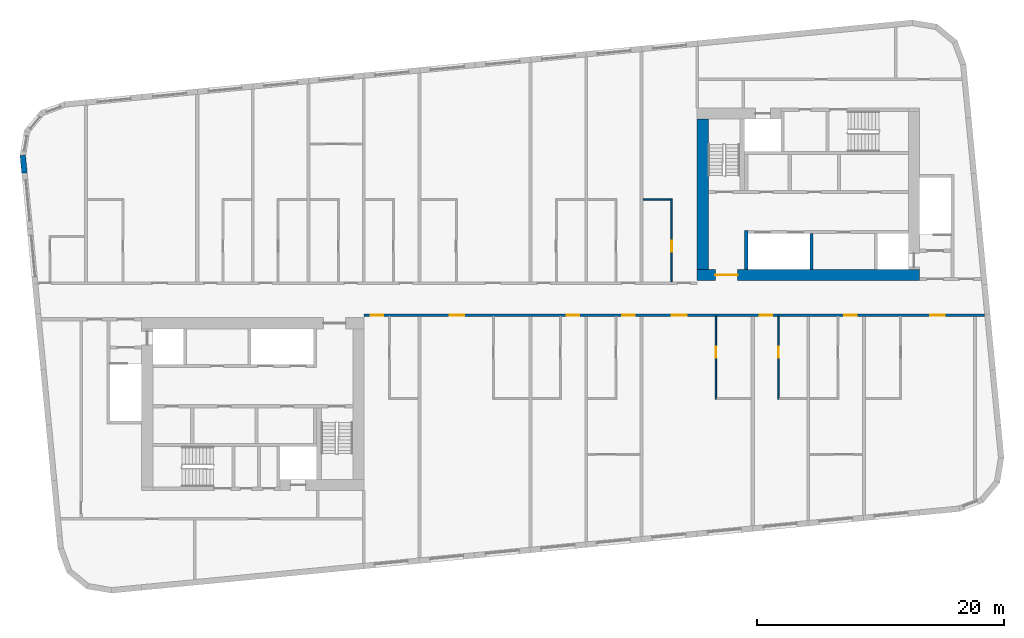
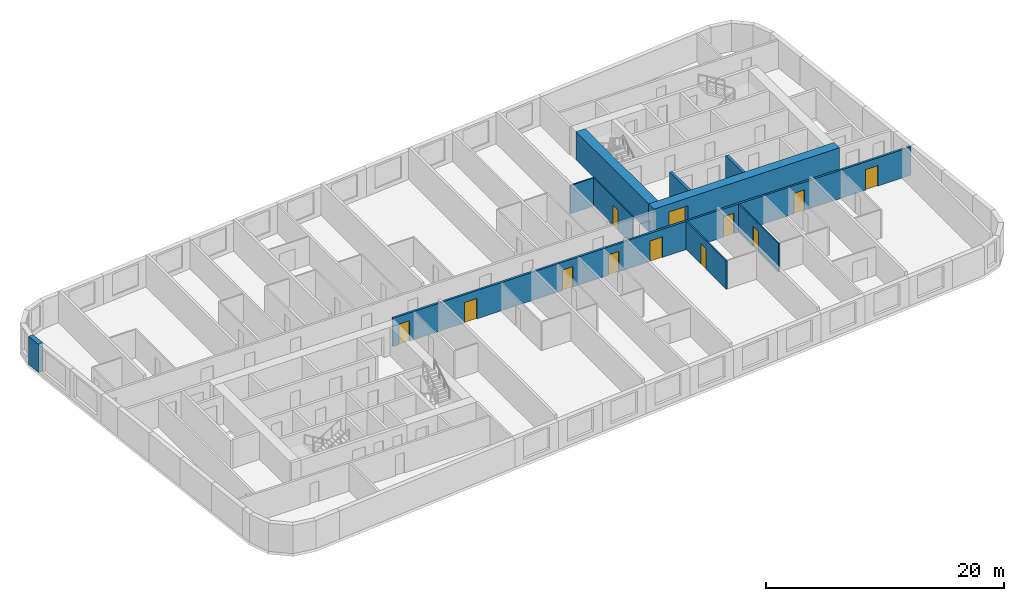
# One storey, part 5 of 11: 12 doors, 10 walls, 12 openings.
"""IFC4 building model written with IfcOpenShell, lengths in metres."""

from ifc_helpers import new_model, si_unit, direction, frame, frame_2d, origin, place, context, subcontext, project, spatial, rectangle, extrude, material, layer, layer_set, type_object, element, fill, save


model = new_model("IFC4")

# Units and contexts
model_context = context("Model", 3, precision=1e-05, world=origin(), true_north=direction((0.0, 1.0)))
body_context = subcontext(model_context, "Body", "Model", "MODEL_VIEW")
ifc_project = project(units=[si_unit("LENGTHUNIT", "METRE"), si_unit("AREAUNIT", "SQUARE_METRE"), si_unit("VOLUMEUNIT", "CUBIC_METRE"), si_unit("PLANEANGLEUNIT", "RADIAN"), si_unit("MASSUNIT", "GRAM", prefix="KILO")], contexts=[model_context])

# Site, building, storey
site_placement = place(None, origin())
site = spatial("IfcSite", under=ifc_project, at=site_placement, CompositionType="ELEMENT")
building_placement = place(site_placement, origin())
building = spatial("IfcBuilding", under=site, at=building_placement, Name="Kajstack Hotel Tower", CompositionType="ELEMENT")
storey_placement = place(building_placement, frame((0.0, 0.0, 304.800048828125)))
storey = spatial("IfcBuildingStorey", under=building, at=storey_placement, Name="L77", CompositionType="ELEMENT", Elevation=304.800048828125)

# Wall, opening, door
ifc_material_1 = material(Name="Concrete C60/75", Category="concrete")
ifc_layer_1 = layer(ifc_material_1, 0.89990234375)
ifc_layer_set_1 = layer_set([ifc_layer_1], Name="Core wall 900")
wall_type_1 = type_object("IfcWallType", Name="Core wall 900", PredefinedType="SHEAR", material=ifc_layer_set_1)
wall_1_placement = place(storey_placement, frame((13.5, 1.949951171875, 0.0), z_axis=(0.0, 0.0, 1.0), x_axis=(1.0, 0.0, 0.0)))
wall_1 = element("IfcWall", 1, at=wall_1_placement, inside=storey, type_object=wall_type_1, Name="Core wall E RN", PredefinedType="SHEAR", context=body_context, shape_type="SweptSolid", body=[
    extrude(rectangle(XDim=18.0, YDim=0.89990234375, at=frame_2d((9.0, 0.0))), origin(), (0.0, 0.0, 1.0), 2.89990234375),
])
opening_1_placement = place(wall_1_placement, frame((1.47509765625, 0.0, 0.0)))
opening_1 = element("IfcOpeningElement", 2, at=opening_1_placement, cuts=wall_1, Name="Opening 77E05", PredefinedType="OPENING", context=body_context, shape_type="SweptSolid", body=[
    extrude(rectangle(XDim=1.800048828125, YDim=2.10009765625, at=frame_2d((0.89990234375, 1.050048828125))), frame((0.0, 0.4599609375, 0.0), z_axis=(0.0, -1.0, 0.0), x_axis=(1.0, 0.0, 0.0)), (0.0, 0.0, 1.0), 0.919921875),
])
ifc_material_2 = material(Name="Glazed steel frame, fire-rated glass", Category="steel")
door_type_1 = type_object("IfcDoorType", Name="Lobby double door 1800", OperationType="DOUBLE_DOOR_DOUBLE_SWING", PredefinedType="DOOR", material=ifc_material_2)
door_1_placement = place(opening_1_placement, origin())
door_1 = element("IfcDoor", 3, at=door_1_placement, inside=storey, type_object=door_type_1, Name="Door 77E05", OperationType="DOUBLE_DOOR_DOUBLE_SWING", OverallHeight=2.10009765625, OverallWidth=1.800048828125, PredefinedType="DOOR", context=body_context, shape_type="SweptSolid", body=[
    extrude(rectangle(XDim=1.800048828125, YDim=2.10009765625, at=frame_2d((0.89990234375, 1.050048828125))), frame((0.0, 0.02490234375, 0.0), z_axis=(0.0, -1.0, 0.0), x_axis=(1.0, 0.0, 0.0)), (0.0, 0.0, 1.0), 0.050048828125),
])
fill(opening_1, door_1)

# Wall
wall_2_placement = place(storey_placement, frame((13.949951171875, 2.39990234375, 0.0), z_axis=(0.0, 0.0, 1.0), x_axis=(0.0, 1.0, 0.0)))
element("IfcWall", 4, at=wall_2_placement, inside=storey, type_object=wall_type_1, Name="Core wall E RE", PredefinedType="SHEAR", context=body_context, shape_type="SweptSolid", body=[
    extrude(rectangle(XDim=12.2001953125, YDim=0.89990234375, at=frame_2d((6.10009765625, 0.0))), origin(), (0.0, 0.0, 1.0), 2.89990234375),
])

# Wall, openings, doors
ifc_material_3 = material(Name="Gypsum board on steel studs, mineral wool", Category="steel")
ifc_layer_2 = layer(ifc_material_3, 0.199951171875)
ifc_layer_set_2 = layer_set([ifc_layer_2], Name="Corridor wall 200")
wall_type_2 = type_object("IfcWallType", Name="Corridor wall 200", PredefinedType="PARTITIONING", material=ifc_layer_set_2)
wall_3_placement = place(storey_placement, frame((-13.5, -1.300048828125, 0.0), z_axis=(0.0, 0.0, 1.0), x_axis=(1.0, 0.0, 0.0)))
wall_3 = element("IfcWall", 5, at=wall_3_placement, inside=storey, type_object=wall_type_2, Name="G-wall-L77-028", PredefinedType="PARTITIONING", context=body_context, shape_type="SweptSolid", body=[
    extrude(rectangle(XDim=50.29296875, YDim=0.199951171875, at=frame_2d((25.146484375, 0.0))), origin(), (0.0, 0.0, 1.0), 2.89990234375),
])
opening_2_placement = place(wall_3_placement, frame((0.574951171875, 0.0, 0.0)))
opening_2 = element("IfcOpeningElement", 6, at=opening_2_placement, cuts=wall_3, Name="Opening 77022", PredefinedType="OPENING", context=body_context, shape_type="SweptSolid", body=[
    extrude(rectangle(XDim=1.0, YDim=2.10009765625, at=frame_2d((0.5, 1.050048828125))), frame((0.0, 0.10986328125, 0.0), z_axis=(0.0, -1.0, 0.0), x_axis=(1.0, 0.0, 0.0)), (0.0, 0.0, 1.0), 0.219970703125),
])
opening_3_placement = place(wall_3_placement, frame((6.93798828125, 0.0, 0.0)))
opening_3 = element("IfcOpeningElement", 7, at=opening_3_placement, cuts=wall_3, Name="Opening 77024", PredefinedType="OPENING", context=body_context, shape_type="SweptSolid", body=[
    extrude(rectangle(XDim=1.199951171875, YDim=2.10009765625, at=frame_2d((0.60009765625, 1.050048828125))), frame((0.0, 0.10986328125, 0.0), z_axis=(0.0, -1.0, 0.0), x_axis=(1.0, 0.0, 0.0)), (0.0, 0.0, 1.0), 0.219970703125),
])
opening_4_placement = place(wall_3_placement, frame((16.449951171875, 0.0, 0.0)))
opening_4 = element("IfcOpeningElement", 8, at=opening_4_placement, cuts=wall_3, Name="Opening 77026", PredefinedType="OPENING", context=body_context, shape_type="SweptSolid", body=[
    extrude(rectangle(XDim=1.0, YDim=2.10009765625, at=frame_2d((0.5, 1.050048828125))), frame((0.0, 0.10986328125, 0.0), z_axis=(0.0, -1.0, 0.0), x_axis=(1.0, 0.0, 0.0)), (0.0, 0.0, 1.0), 0.219970703125),
])
opening_5_placement = place(wall_3_placement, frame((20.925048828125, 0.0, 0.0)))
opening_5 = element("IfcOpeningElement", 9, at=opening_5_placement, cuts=wall_3, Name="Opening 77028", PredefinedType="OPENING", context=body_context, shape_type="SweptSolid", body=[
    extrude(rectangle(XDim=1.0, YDim=2.10009765625, at=frame_2d((0.5, 1.050048828125))), frame((0.0, 0.10986328125, 0.0), z_axis=(0.0, -1.0, 0.0), x_axis=(1.0, 0.0, 0.0)), (0.0, 0.0, 1.0), 0.219970703125),
])
opening_6_placement = place(wall_3_placement, frame((24.93798828125, 0.0, 0.0)))
opening_6 = element("IfcOpeningElement", 10, at=opening_6_placement, cuts=wall_3, Name="Opening 77031", PredefinedType="OPENING", context=body_context, shape_type="SweptSolid", body=[
    extrude(rectangle(XDim=1.199951171875, YDim=2.10009765625, at=frame_2d((0.60009765625, 1.050048828125))), frame((0.0, 0.10986328125, 0.0), z_axis=(0.0, -1.0, 0.0), x_axis=(1.0, 0.0, 0.0)), (0.0, 0.0, 1.0), 0.219970703125),
])
opening_7_placement = place(wall_3_placement, frame((32.074951171875, 0.0, 0.0)))
opening_7 = element("IfcOpeningElement", 11, at=opening_7_placement, cuts=wall_3, Name="Opening 77033", PredefinedType="OPENING", context=body_context, shape_type="SweptSolid", body=[
    extrude(rectangle(XDim=1.0, YDim=2.10009765625, at=frame_2d((0.5, 1.050048828125))), frame((0.0, 0.10986328125, 0.0), z_axis=(0.0, -1.0, 0.0), x_axis=(1.0, 0.0, 0.0)), (0.0, 0.0, 1.0), 0.219970703125),
])
opening_8_placement = place(wall_3_placement, frame((38.925048828125, 0.0, 0.0)))
opening_8 = element("IfcOpeningElement", 12, at=opening_8_placement, cuts=wall_3, Name="Opening 77035", PredefinedType="OPENING", context=body_context, shape_type="SweptSolid", body=[
    extrude(rectangle(XDim=1.0, YDim=2.10009765625, at=frame_2d((0.5, 1.050048828125))), frame((0.0, 0.10986328125, 0.0), z_axis=(0.0, -1.0, 0.0), x_axis=(1.0, 0.0, 0.0)), (0.0, 0.0, 1.0), 0.219970703125),
])
opening_9_placement = place(wall_3_placement, frame((45.862060546875, 0.0, 0.0)))
opening_9 = element("IfcOpeningElement", 13, at=opening_9_placement, cuts=wall_3, Name="Opening 77038", PredefinedType="OPENING", context=body_context, shape_type="SweptSolid", body=[
    extrude(rectangle(XDim=1.199951171875, YDim=2.10009765625, at=frame_2d((0.60009765625, 1.050048828125))), frame((0.0, 0.10986328125, 0.0), z_axis=(0.0, -1.0, 0.0), x_axis=(1.0, 0.0, 0.0)), (0.0, 0.0, 1.0), 0.219970703125),
])
ifc_material_4 = material(Name="Oak veneer on timber core, fire-rated leaf", Category="wood")
door_type_2 = type_object("IfcDoorType", Name="Flat entrance door 1000", OperationType="SINGLE_SWING_LEFT", PredefinedType="DOOR", material=ifc_material_4)
door_2_placement = place(opening_2_placement, origin())
door_2 = element("IfcDoor", 14, at=door_2_placement, inside=storey, type_object=door_type_2, Name="G-door-L77-22", OperationType="SINGLE_SWING_RIGHT", OverallHeight=2.10009765625, OverallWidth=1.0, PredefinedType="DOOR", context=body_context, shape_type="SweptSolid", body=[
    extrude(rectangle(XDim=1.0, YDim=2.10009765625, at=frame_2d((0.5, 1.050048828125))), frame((0.0, 0.02490234375, 0.0), z_axis=(0.0, -1.0, 0.0), x_axis=(1.0, 0.0, 0.0)), (0.0, 0.0, 1.0), 0.050048828125),
])
fill(opening_2, door_2)
door_3_placement = place(opening_4_placement, origin())
door_3 = element("IfcDoor", 15, at=door_3_placement, inside=storey, type_object=door_type_2, Name="G-door-L77-26", OperationType="SINGLE_SWING_LEFT", OverallHeight=2.10009765625, OverallWidth=1.0, PredefinedType="DOOR", context=body_context, shape_type="SweptSolid", body=[
    extrude(rectangle(XDim=1.0, YDim=2.10009765625, at=frame_2d((0.5, 1.050048828125))), frame((0.0, 0.02490234375, 0.0), z_axis=(0.0, -1.0, 0.0), x_axis=(1.0, 0.0, 0.0)), (0.0, 0.0, 1.0), 0.050048828125),
])
fill(opening_4, door_3)
door_4_placement = place(opening_5_placement, origin())
door_4 = element("IfcDoor", 16, at=door_4_placement, inside=storey, type_object=door_type_2, Name="G-door-L77-28", OperationType="SINGLE_SWING_LEFT", OverallHeight=2.10009765625, OverallWidth=1.0, PredefinedType="DOOR", context=body_context, shape_type="SweptSolid", body=[
    extrude(rectangle(XDim=1.0, YDim=2.10009765625, at=frame_2d((0.5, 1.050048828125))), frame((0.0, 0.02490234375, 0.0), z_axis=(0.0, -1.0, 0.0), x_axis=(1.0, 0.0, 0.0)), (0.0, 0.0, 1.0), 0.050048828125),
])
fill(opening_5, door_4)
door_5_placement = place(opening_7_placement, origin())
door_5 = element("IfcDoor", 17, at=door_5_placement, inside=storey, type_object=door_type_2, Name="G-door-L77-33", OperationType="SINGLE_SWING_RIGHT", OverallHeight=2.10009765625, OverallWidth=1.0, PredefinedType="DOOR", context=body_context, shape_type="SweptSolid", body=[
    extrude(rectangle(XDim=1.0, YDim=2.10009765625, at=frame_2d((0.5, 1.050048828125))), frame((0.0, 0.02490234375, 0.0), z_axis=(0.0, -1.0, 0.0), x_axis=(1.0, 0.0, 0.0)), (0.0, 0.0, 1.0), 0.050048828125),
])
fill(opening_7, door_5)
door_6_placement = place(opening_8_placement, origin())
door_6 = element("IfcDoor", 18, at=door_6_placement, inside=storey, type_object=door_type_2, Name="G-door-L77-35", OperationType="SINGLE_SWING_LEFT", OverallHeight=2.10009765625, OverallWidth=1.0, PredefinedType="DOOR", context=body_context, shape_type="SweptSolid", body=[
    extrude(rectangle(XDim=1.0, YDim=2.10009765625, at=frame_2d((0.5, 1.050048828125))), frame((0.0, 0.02490234375, 0.0), z_axis=(0.0, -1.0, 0.0), x_axis=(1.0, 0.0, 0.0)), (0.0, 0.0, 1.0), 0.050048828125),
])
fill(opening_8, door_6)
door_type_3 = type_object("IfcDoorType", Name="Flat entrance door 1200", OperationType="SINGLE_SWING_LEFT", PredefinedType="DOOR", material=ifc_material_4)
door_7_placement = place(opening_3_placement, origin())
door_7 = element("IfcDoor", 19, at=door_7_placement, inside=storey, type_object=door_type_3, Name="G-door-L77-24", OperationType="SINGLE_SWING_RIGHT", OverallHeight=2.10009765625, OverallWidth=1.199951171875, PredefinedType="DOOR", context=body_context, shape_type="SweptSolid", body=[
    extrude(rectangle(XDim=1.199951171875, YDim=2.10009765625, at=frame_2d((0.60009765625, 1.050048828125))), frame((0.0, 0.02490234375, 0.0), z_axis=(0.0, -1.0, 0.0), x_axis=(1.0, 0.0, 0.0)), (0.0, 0.0, 1.0), 0.050048828125),
])
fill(opening_3, door_7)
door_8_placement = place(opening_6_placement, origin())
door_8 = element("IfcDoor", 20, at=door_8_placement, inside=storey, type_object=door_type_3, Name="G-door-L77-31", OperationType="SINGLE_SWING_LEFT", OverallHeight=2.10009765625, OverallWidth=1.199951171875, PredefinedType="DOOR", context=body_context, shape_type="SweptSolid", body=[
    extrude(rectangle(XDim=1.199951171875, YDim=2.10009765625, at=frame_2d((0.60009765625, 1.050048828125))), frame((0.0, 0.02490234375, 0.0), z_axis=(0.0, -1.0, 0.0), x_axis=(1.0, 0.0, 0.0)), (0.0, 0.0, 1.0), 0.050048828125),
])
fill(opening_6, door_8)
door_9_placement = place(opening_9_placement, origin())
door_9 = element("IfcDoor", 21, at=door_9_placement, inside=storey, type_object=door_type_3, Name="G-door-L77-38", OperationType="SINGLE_SWING_LEFT", OverallHeight=2.10009765625, OverallWidth=1.199951171875, PredefinedType="DOOR", context=body_context, shape_type="SweptSolid", body=[
    extrude(rectangle(XDim=1.199951171875, YDim=2.10009765625, at=frame_2d((0.60009765625, 1.050048828125))), frame((0.0, 0.02490234375, 0.0), z_axis=(0.0, -1.0, 0.0), x_axis=(1.0, 0.0, 0.0)), (0.0, 0.0, 1.0), 0.050048828125),
])
fill(opening_9, door_9)

# Wall
ifc_material_5 = material(Name="Concrete C40/50", Category="concrete")
ifc_layer_3 = layer(ifc_material_5, 0.449951171875)
ifc_layer_set_3 = layer_set([ifc_layer_3], Name="EW-CORE")
wall_type_3 = type_object("IfcWallType", Name="EW-CORE", PredefinedType="SOLIDWALL", material=ifc_layer_set_3)
wall_4_placement = place(storey_placement, frame((-41.13232421875, 11.657958984375, 0.0), z_axis=(0.0, 0.0, 1.0), x_axis=(0.095767215156, -0.995403757528, 0.0)))
element("IfcWall", 22, at=wall_4_placement, inside=storey, type_object=wall_type_3, Name="E-wall-L77-00-00", PredefinedType="SOLIDWALL", context=body_context, shape_type="SweptSolid", body=[
    extrude(rectangle(XDim=1.44287109375, YDim=0.449951171875, at=frame_2d((0.721435546875, 0.0))), origin(), (0.0, 0.0, 1.0), 2.89990234375),
])

# Wall, opening, door
ifc_material_6 = material(Name="Gypsum board and tiled backer on steel studs", Category="steel")
ifc_layer_4 = layer(ifc_material_6, 0.125)
ifc_layer_set_4 = layer_set([ifc_layer_4], Name="En-suite wall 125")
wall_type_4 = type_object("IfcWallType", Name="En-suite wall 125", PredefinedType="PARTITIONING", material=ifc_layer_set_4)
wall_5_placement = place(storey_placement, frame((11.43798828125, 1.39990234375, 0.0), z_axis=(0.0, 0.0, 1.0), x_axis=(0.0, 1.0, 0.0)))
wall_5 = element("IfcWall", 23, at=wall_5_placement, inside=storey, type_object=wall_type_4, Name="G-wall-L77-026", PredefinedType="PARTITIONING", context=body_context, shape_type="SweptSolid", body=[
    extrude(rectangle(XDim=6.72509765625, YDim=0.125, at=frame_2d((3.362548828125, 0.0))), origin(), (0.0, 0.0, 1.0), 2.89990234375),
])
opening_10_placement = place(wall_5_placement, frame((2.449951171875, 0.0, 0.0)))
opening_10 = element("IfcOpeningElement", 24, at=opening_10_placement, cuts=wall_5, Name="Opening 77021", PredefinedType="OPENING", context=body_context, shape_type="SweptSolid", body=[
    extrude(rectangle(XDim=0.89990234375, YDim=2.10009765625, at=frame_2d((0.449951171875, 1.050048828125))), frame((0.0, 0.072509765625, 0.0), z_axis=(0.0, -1.0, 0.0), x_axis=(1.0, 0.0, 0.0)), (0.0, 0.0, 1.0), 0.14501953125),
])
ifc_material_7 = material(Name="Painted timber door leaf", Category="wood")
door_type_4 = type_object("IfcDoorType", Name="Room door 900", OperationType="SINGLE_SWING_LEFT", PredefinedType="DOOR", material=ifc_material_7)
door_10_placement = place(opening_10_placement, origin())
door_10 = element("IfcDoor", 25, at=door_10_placement, inside=storey, type_object=door_type_4, Name="G-door-L77-21", OperationType="SINGLE_SWING_LEFT", OverallHeight=2.10009765625, OverallWidth=0.89990234375, PredefinedType="DOOR", context=body_context, shape_type="SweptSolid", body=[
    extrude(rectangle(XDim=0.89990234375, YDim=2.10009765625, at=frame_2d((0.449951171875, 1.050048828125))), frame((0.0, 0.02490234375, 0.0), z_axis=(0.0, -1.0, 0.0), x_axis=(1.0, 0.0, 0.0)), (0.0, 0.0, 1.0), 0.050048828125),
])
fill(opening_10, door_10)

# Wall
wall_6_placement = place(storey_placement, frame((9.125, 8.06201171875, 0.0), z_axis=(0.0, 0.0, 1.0), x_axis=(1.0, 0.0, 0.0)))
element("IfcWall", 26, at=wall_6_placement, inside=storey, type_object=wall_type_4, Name="G-wall-L77-027", PredefinedType="PARTITIONING", context=body_context, shape_type="SweptSolid", body=[
    extrude(rectangle(XDim=2.25, YDim=0.125, at=frame_2d((1.125, 0.0))), origin(), (0.0, 0.0, 1.0), 2.89990234375),
])

# Wall, opening, door
wall_7_placement = place(storey_placement, frame((15.011962890625, -8.125, 0.0), z_axis=(0.0, 0.0, 1.0), x_axis=(0.0, 1.0, 0.0)))
wall_7 = element("IfcWall", 27, at=wall_7_placement, inside=storey, type_object=wall_type_4, Name="G-wall-L77-039", PredefinedType="PARTITIONING", context=body_context, shape_type="SweptSolid", body=[
    extrude(rectangle(XDim=6.72509765625, YDim=0.125, at=frame_2d((3.362548828125, 0.0))), origin(), (0.0, 0.0, 1.0), 2.89990234375),
])
opening_11_placement = place(wall_7_placement, frame((3.375, 0.0, 0.0)))
opening_11 = element("IfcOpeningElement", 28, at=opening_11_placement, cuts=wall_7, Name="Opening 77032", PredefinedType="OPENING", context=body_context, shape_type="SweptSolid", body=[
    extrude(rectangle(XDim=0.89990234375, YDim=2.10009765625, at=frame_2d((0.449951171875, 1.050048828125))), frame((0.0, 0.072509765625, 0.0), z_axis=(0.0, -1.0, 0.0), x_axis=(1.0, 0.0, 0.0)), (0.0, 0.0, 1.0), 0.14501953125),
])
door_11_placement = place(opening_11_placement, origin())
door_11 = element("IfcDoor", 29, at=door_11_placement, inside=storey, type_object=door_type_4, Name="G-door-L77-32", OperationType="SINGLE_SWING_LEFT", OverallHeight=2.10009765625, OverallWidth=0.89990234375, PredefinedType="DOOR", context=body_context, shape_type="SweptSolid", body=[
    extrude(rectangle(XDim=0.89990234375, YDim=2.10009765625, at=frame_2d((0.449951171875, 1.050048828125))), frame((0.0, 0.02490234375, 0.0), z_axis=(0.0, -1.0, 0.0), x_axis=(1.0, 0.0, 0.0)), (0.0, 0.0, 1.0), 0.050048828125),
])
fill(opening_11, door_11)

wall_8_placement = place(storey_placement, frame((20.0869140625, -8.125, 0.0), z_axis=(0.0, 0.0, 1.0), x_axis=(0.0, 1.0, 0.0)))
wall_8 = element("IfcWall", 30, at=wall_8_placement, inside=storey, type_object=wall_type_4, Name="G-wall-L77-042", PredefinedType="PARTITIONING", context=body_context, shape_type="SweptSolid", body=[
    extrude(rectangle(XDim=6.72509765625, YDim=0.125, at=frame_2d((3.362548828125, 0.0))), origin(), (0.0, 0.0, 1.0), 2.89990234375),
])
opening_12_placement = place(wall_8_placement, frame((3.375, 0.0, 0.0)))
opening_12 = element("IfcOpeningElement", 31, at=opening_12_placement, cuts=wall_8, Name="Opening 77034", PredefinedType="OPENING", context=body_context, shape_type="SweptSolid", body=[
    extrude(rectangle(XDim=0.89990234375, YDim=2.10009765625, at=frame_2d((0.449951171875, 1.050048828125))), frame((0.0, 0.072509765625, 0.0), z_axis=(0.0, -1.0, 0.0), x_axis=(1.0, 0.0, 0.0)), (0.0, 0.0, 1.0), 0.14501953125),
])
door_12_placement = place(opening_12_placement, origin())
door_12 = element("IfcDoor", 32, at=door_12_placement, inside=storey, type_object=door_type_4, Name="G-door-L77-34", OperationType="SINGLE_SWING_RIGHT", OverallHeight=2.10009765625, OverallWidth=0.89990234375, PredefinedType="DOOR", context=body_context, shape_type="SweptSolid", body=[
    extrude(rectangle(XDim=0.89990234375, YDim=2.10009765625, at=frame_2d((0.449951171875, 1.050048828125))), frame((0.0, 0.02490234375, 0.0), z_axis=(0.0, -1.0, 0.0), x_axis=(1.0, 0.0, 0.0)), (0.0, 0.0, 1.0), 0.050048828125),
])
fill(opening_12, door_12)

# Walls
ifc_material_8 = material(Name="Concrete C50/60", Category="concrete")
ifc_layer_5 = layer(ifc_material_8, 0.300048828125)
ifc_layer_set_5 = layer_set([ifc_layer_5], Name="Hoistway divider wall 300")
wall_type_5 = type_object("IfcWallType", Name="Hoistway divider wall 300", PredefinedType="SHEAR", material=ifc_layer_set_5)
wall_9_placement = place(storey_placement, frame((22.77490234375, 2.39990234375, 0.0), z_axis=(0.0, 0.0, 1.0), x_axis=(0.0, 1.0, 0.0)))
element("IfcWall", 33, at=wall_9_placement, inside=storey, type_object=wall_type_5, Name="Core wall E AP2", PredefinedType="SHEAR", context=body_context, shape_type="SweptSolid", body=[
    extrude(rectangle(XDim=2.900146484375, YDim=0.25, at=frame_2d((1.4501953125, 0.0))), origin(), (0.0, 0.0, 1.0), 2.89990234375),
])
ifc_layer_6 = layer(ifc_material_8, 0.25)
ifc_layer_set_6 = layer_set([ifc_layer_6], Name="Shaft wall 250")
wall_type_6 = type_object("IfcWallType", Name="Shaft wall 250", PredefinedType="SHEAR", material=ifc_layer_set_6)
wall_10_placement = place(storey_placement, frame((17.47509765625, 2.39990234375, 0.0), z_axis=(0.0, 0.0, 1.0), x_axis=(0.0, 1.0, 0.0)))
element("IfcWall", 34, at=wall_10_placement, inside=storey, type_object=wall_type_6, Name="Core wall E AE", PredefinedType="SHEAR", context=body_context, shape_type="SweptSolid", body=[
    extrude(rectangle(XDim=3.150146484375, YDim=0.25, at=frame_2d((1.5751953125, 0.0))), origin(), (0.0, 0.0, 1.0), 2.89990234375),
])

save(model, "model.ifc")
